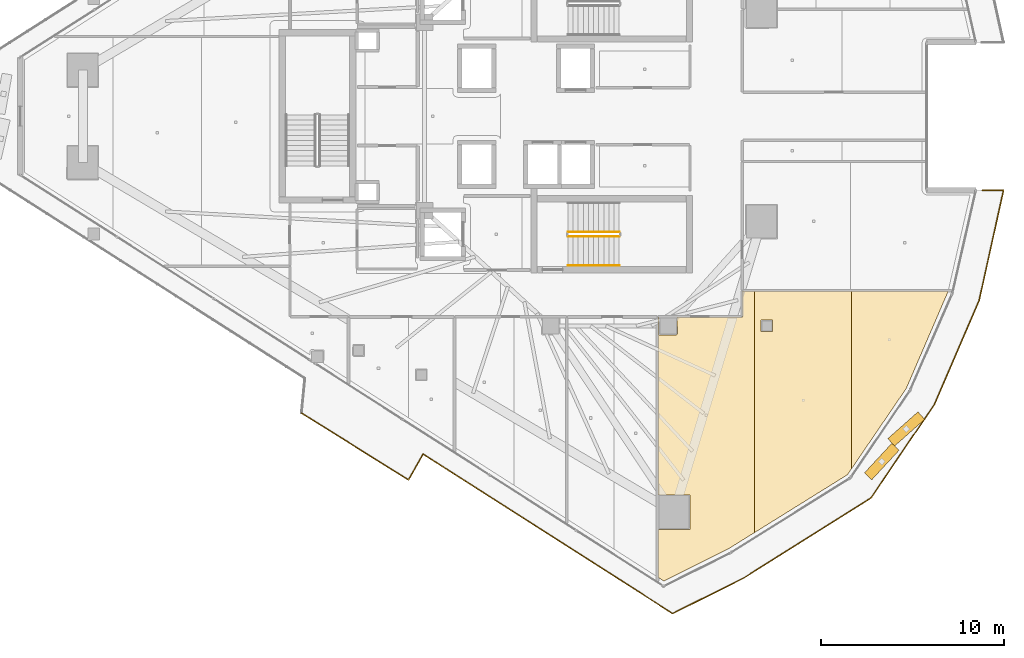
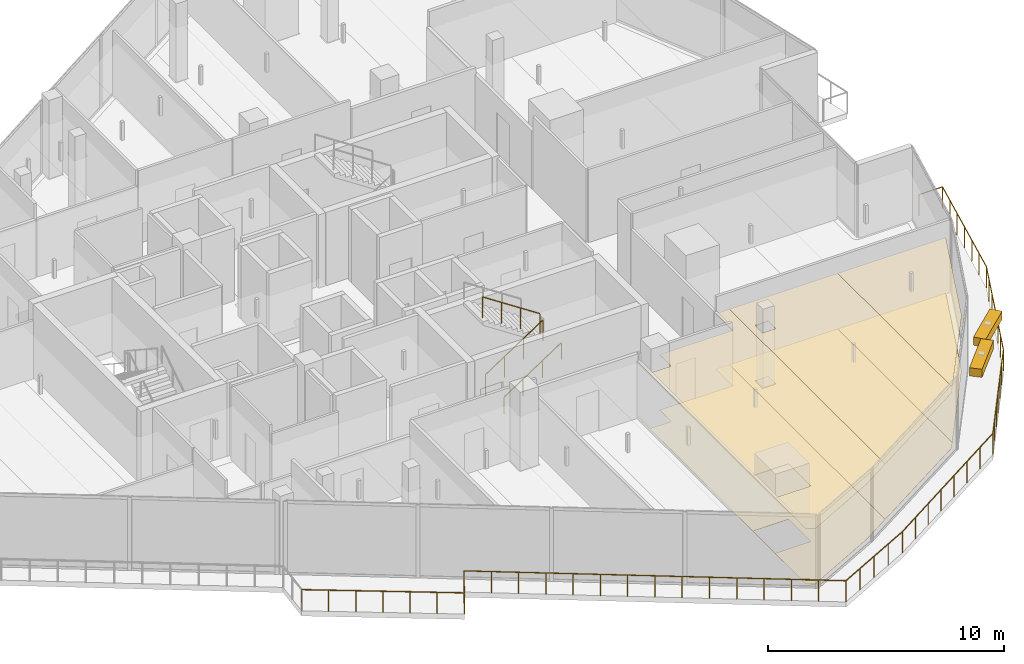
# One storey, part 34 of 36: 6 coverings, 4 railings, 2 shading devices.
"""IFC4 building model written with IfcOpenShell, lengths in metres."""

from ifc_helpers import new_model, si_unit, direction, frame, origin, origin_2d, place, context, subcontext, project, spatial, polyline, rectangle, circle, outline, extrude, material, layer, layer_set, type_object, element, save


model = new_model("IFC4")

# Units and contexts
model_context = context("Model", 3, precision=1e-05, world=origin(), true_north=direction((0.0, 1.0)))
body_context = subcontext(model_context, "Body", "Model", "MODEL_VIEW")
ifc_project = project(units=[si_unit("LENGTHUNIT", "METRE"), si_unit("AREAUNIT", "SQUARE_METRE"), si_unit("VOLUMEUNIT", "CUBIC_METRE"), si_unit("PLANEANGLEUNIT", "RADIAN"), si_unit("MASSUNIT", "GRAM", prefix="KILO")], contexts=[model_context])

# Site, building, storey
site_placement = place(None, origin())
site = spatial("IfcSite", under=ifc_project, at=site_placement, CompositionType="ELEMENT")
building_placement = place(site_placement, origin())
building = spatial("IfcBuilding", under=site, at=building_placement, Name="Qorvath Tower", CompositionType="ELEMENT")
storey_placement = place(building_placement, frame((0.0, 0.0, 241.5)))
storey = spatial("IfcBuildingStorey", under=building, at=storey_placement, Name="L56", CompositionType="ELEMENT", Elevation=241.5)

# Coverings
ifc_material_1 = material(Name="Acoustic mineral fibre ceiling tile", Category="gypsum")
ifc_layer_1 = layer(ifc_material_1, 0.030029296875)
ifc_layer_set_1 = layer_set([ifc_layer_1], Name="COV-CEIL")
covering_type_1 = type_object("IfcCoveringType", Name="COV-CEIL", PredefinedType="CEILING", material=ifc_layer_set_1)
covering_1_placement = place(storey_placement, frame((0.0, 0.0, 2.85009765625)))
element("IfcCovering", 1, at=covering_1_placement, inside=storey, type_object=covering_type_1, Name="L56 Suspended Acoustic Ceiling 027", PredefinedType="CEILING", context=body_context, shape_type="SweptSolid", body=[
    extrude(outline(polyline([(-17.42333984375, -25.39111328125), (-13.89453125, -23.626708984375), (-12.466552734375, -22.738037109375), (-12.466552734375, -9.53515625), (-13.136962890625, -9.534912109375), (-13.138427734375, -10.96142578125), (-16.705322265625, -10.962890625), (-16.68994140625, -11.89990234375), (-16.75, -11.9599609375), (-17.6923828125, -11.9423828125), (-17.694580078125, -10.962890625), (-17.75732421875, -10.962890625), (-17.75732421875, -25.177490234375), (-17.42333984375, -25.39111328125)]), holes=[polyline([(-17.739013671875, -22.569580078125), (-17.739013671875, -20.6845703125), (-16.00439453125, -20.6845703125), (-16.00439453125, -22.569580078125), (-17.739013671875, -22.569580078125)])]), origin(), (0.0, 0.0, 1.0), 0.030029296875),
])
covering_2_placement = place(storey_placement, frame((0.0, 0.0, 2.85009765625)))
element("IfcCovering", 2, at=covering_2_placement, inside=storey, type_object=covering_type_1, Name="L56 Suspended Acoustic Ceiling 028", PredefinedType="CEILING", context=body_context, shape_type="SweptSolid", body=[
    extrude(outline(polyline([(-12.466552734375, -9.53515625), (-12.466552734375, -22.738037109375), (-7.396240234375, -19.58251953125), (-7.176025390625, -19.259033203125), (-7.176025390625, -9.537353515625), (-12.466552734375, -9.53515625)]), holes=[polyline([(-12.117431640625, -11.767333984375), (-12.117431640625, -11.132568359375), (-11.482666015625, -11.132568359375), (-11.482666015625, -11.767333984375), (-12.117431640625, -11.767333984375)])]), origin(), (0.0, 0.0, 1.0), 0.030029296875),
])
covering_3_placement = place(storey_placement, frame((0.0, 0.0, 2.85009765625)))
element("IfcCovering", 3, at=covering_3_placement, inside=storey, type_object=covering_type_1, Name="L56 Suspended Acoustic Ceiling 029", PredefinedType="CEILING", context=body_context, shape_type="SweptSolid", body=[
    extrude(outline(polyline([(-7.176025390625, -9.537353515625), (-7.176025390625, -19.259033203125), (-4.1806640625, -14.862548828125), (-1.88525390625, -9.53955078125), (-7.176025390625, -9.537353515625)])), origin(), (0.0, 0.0, 1.0), 0.030029296875),
])
ifc_material_2 = material(Name="Low-VOC modular carpet tile", Category="textile")
ifc_layer_2 = layer(ifc_material_2, 0.014892578125)
ifc_layer_set_2 = layer_set([ifc_layer_2], Name="COV-FLOOR-CPT")
covering_type_2 = type_object("IfcCoveringType", Name="COV-FLOOR-CPT", PredefinedType="FLOORING", material=ifc_layer_set_2)
covering_4_placement = place(storey_placement, origin())
element("IfcCovering", 4, at=covering_4_placement, inside=storey, type_object=covering_type_2, Name="L56 Floor Finish 027", PredefinedType="FLOORING", context=body_context, shape_type="SweptSolid", body=[
    extrude(outline(polyline([(-17.42333984375, -25.39111328125), (-13.89453125, -23.626708984375), (-12.466552734375, -22.738037109375), (-12.466552734375, -9.53515625), (-13.136962890625, -9.534912109375), (-13.138427734375, -10.96142578125), (-16.705322265625, -10.962890625), (-16.68994140625, -11.89990234375), (-16.75, -11.9599609375), (-17.6923828125, -11.9423828125), (-17.694580078125, -10.962890625), (-17.75732421875, -10.962890625), (-17.75732421875, -25.177490234375), (-17.42333984375, -25.39111328125)]), holes=[polyline([(-17.739013671875, -22.569580078125), (-17.739013671875, -20.6845703125), (-16.00439453125, -20.6845703125), (-16.00439453125, -22.569580078125), (-17.739013671875, -22.569580078125)])]), origin(), (0.0, 0.0, 1.0), 0.014892578125),
])
covering_5_placement = place(storey_placement, origin())
element("IfcCovering", 5, at=covering_5_placement, inside=storey, type_object=covering_type_2, Name="L56 Floor Finish 028", PredefinedType="FLOORING", context=body_context, shape_type="SweptSolid", body=[
    extrude(outline(polyline([(-12.466552734375, -9.53515625), (-12.466552734375, -22.738037109375), (-7.396240234375, -19.58251953125), (-7.176025390625, -19.259033203125), (-7.176025390625, -9.537353515625), (-12.466552734375, -9.53515625)]), holes=[polyline([(-12.117431640625, -11.767333984375), (-12.117431640625, -11.132568359375), (-11.482666015625, -11.132568359375), (-11.482666015625, -11.767333984375), (-12.117431640625, -11.767333984375)])]), origin(), (0.0, 0.0, 1.0), 0.014892578125),
])
covering_6_placement = place(storey_placement, origin())
element("IfcCovering", 6, at=covering_6_placement, inside=storey, type_object=covering_type_2, Name="L56 Floor Finish 029", PredefinedType="FLOORING", context=body_context, shape_type="SweptSolid", body=[
    extrude(outline(polyline([(-7.176025390625, -9.537353515625), (-7.176025390625, -19.259033203125), (-4.1806640625, -14.862548828125), (-1.88525390625, -9.53955078125), (-7.176025390625, -9.537353515625)])), origin(), (0.0, 0.0, 1.0), 0.014892578125),
])

# Railings
ifc_material_3 = material(Name="Laminated safety glass and stainless steel AISI 316", Category="steel")
railing_type_1 = type_object("IfcRailingType", Name="RL-EXT-GRD", PredefinedType="GUARDRAIL", material=ifc_material_3)
railing_1_placement = place(storey_placement, frame((-0.02734375, -4.03369140625, 0.0)))
element("IfcRailing", 7, at=railing_1_placement, inside=storey, type_object=railing_type_1, Name="Loggia Perimeter Guardrail L56-1.2", PredefinedType="GUARDRAIL", context=body_context, shape_type="SweptSolid", body=[
    extrude(circle(Radius=0.02392578125, at=origin_2d()), frame((0.0, 0.0, 1.09619140625), z_axis=(1.0, 0.0, 0.0), x_axis=(0.0, 1.0, 0.0)), (0.0, 0.0, 1.0), 1.158935546875),
    extrude(circle(Radius=0.02392578125, at=origin_2d()), frame((1.158935546875, 0.0, 1.09619140625), z_axis=(-0.216072491468, -0.9763773238, 0.0), x_axis=(0.9763773238, -0.216072491468, 0.0)), (0.0, 0.0, 1.0), 6.17724609375),
    extrude(circle(Radius=0.02392578125, at=origin_2d()), frame((-0.17578125, -6.03125, 1.09619140625), z_axis=(-0.395483357671, -0.91847314267, 0.0), x_axis=(0.91847314267, -0.395483357671, 0.0)), (0.0, 0.0, 1.0), 6.177001953125),
    extrude(circle(Radius=0.02392578125, at=origin_2d()), frame((-2.61865234375, -11.70458984375, 1.09619140625), z_axis=(-0.560832414772, -0.827929346346, 0.0), x_axis=(0.827929346346, -0.560832414772, 0.0)), (0.0, 0.0, 1.0), 6.17724609375),
    extrude(circle(Radius=0.02392578125, at=origin_2d()), frame((-6.0830078125, -16.81884765625, 1.09619140625), z_axis=(-0.846493807587, -0.532398566599, 0.0), x_axis=(0.532398566599, -0.846493807587, 0.0)), (0.0, 0.0, 1.0), 8.21435546875),
    extrude(circle(Radius=0.02392578125, at=origin_2d()), frame((-13.036376953125, -21.192138671875, 1.09619140625), z_axis=(-0.894427191, -0.4472135955, 0.0), x_axis=(0.4472135955, -0.894427191, 0.0)), (0.0, 0.0, 1.0), 4.3388671875),
    extrude(circle(Radius=0.02392578125, at=origin_2d()), frame((-16.917236328125, -23.132568359375, 1.09619140625), z_axis=(-0.842603073778, 0.53853510569, 0.0), x_axis=(-0.53853510569, -0.842603073778, 0.0)), (0.0, 0.0, 1.0), 16.18115234375),
    extrude(circle(Radius=0.02392578125, at=origin_2d()), frame((-30.551513671875, -14.41845703125, 1.09619140625), z_axis=(-0.494714100962, -0.869055785499, 0.0), x_axis=(0.869055785499, -0.494714100962, 0.0)), (0.0, 0.0, 1.0), 1.62451171875),
    extrude(circle(Radius=0.02392578125, at=origin_2d()), frame((-31.355224609375, -15.830322265625, 1.09619140625), z_axis=(-0.848042108762, 0.529928845946, 0.0), x_axis=(-0.529928845946, -0.848042108762, 0.0)), (0.0, 0.0, 1.0), 6.887939453125),
    extrude(circle(Radius=0.02099609375, at=origin_2d()), origin(), (0.0, 0.0, 1.0), 1.072021484375),
    extrude(circle(Radius=0.02099609375, at=origin_2d()), frame((1.158935546875, 0.0, 0.0)), (0.0, 0.0, 1.0), 1.072021484375),
    extrude(circle(Radius=0.02099609375, at=origin_2d()), frame((0.9365234375, -1.005126953125, 0.0)), (0.0, 0.0, 1.0), 1.072021484375),
    extrude(circle(Radius=0.02099609375, at=origin_2d()), frame((0.714111328125, -2.010498046875, 0.0)), (0.0, 0.0, 1.0), 1.072021484375),
    extrude(circle(Radius=0.02099609375, at=origin_2d()), frame((0.49169921875, -3.015625, 0.0)), (0.0, 0.0, 1.0), 1.072021484375),
    extrude(circle(Radius=0.02099609375, at=origin_2d()), frame((0.26904296875, -4.020751953125, 0.0)), (0.0, 0.0, 1.0), 1.072021484375),
    extrude(circle(Radius=0.02099609375, at=origin_2d()), frame((0.046630859375, -5.026123046875, 0.0)), (0.0, 0.0, 1.0), 1.072021484375),
    extrude(circle(Radius=0.02099609375, at=origin_2d()), frame((-0.17578125, -6.03125, 0.0)), (0.0, 0.0, 1.0), 1.072021484375),
    extrude(circle(Radius=0.02099609375, at=origin_2d()), frame((-0.5830078125, -6.976806640625, 0.0)), (0.0, 0.0, 1.0), 1.072021484375),
    extrude(circle(Radius=0.02099609375, at=origin_2d()), frame((-0.989990234375, -7.92236328125, 0.0)), (0.0, 0.0, 1.0), 1.072021484375),
    extrude(circle(Radius=0.02099609375, at=origin_2d()), frame((-1.397216796875, -8.867919921875, 0.0)), (0.0, 0.0, 1.0), 1.072021484375),
    extrude(circle(Radius=0.02099609375, at=origin_2d()), frame((-1.804443359375, -9.8134765625, 0.0)), (0.0, 0.0, 1.0), 1.072021484375),
    extrude(circle(Radius=0.02099609375, at=origin_2d()), frame((-2.21142578125, -10.759033203125, 0.0)), (0.0, 0.0, 1.0), 1.072021484375),
    extrude(circle(Radius=0.02099609375, at=origin_2d()), frame((-2.61865234375, -11.70458984375, 0.0)), (0.0, 0.0, 1.0), 1.072021484375),
    extrude(circle(Radius=0.02099609375, at=origin_2d()), frame((-3.196044921875, -12.556884765625, 0.0)), (0.0, 0.0, 1.0), 1.072021484375),
    extrude(circle(Radius=0.02099609375, at=origin_2d()), frame((-3.7734375, -13.409423828125, 0.0)), (0.0, 0.0, 1.0), 1.072021484375),
    extrude(circle(Radius=0.02099609375, at=origin_2d()), frame((-4.350830078125, -14.26171875, 0.0)), (0.0, 0.0, 1.0), 1.072021484375),
    extrude(circle(Radius=0.02099609375, at=origin_2d()), frame((-4.92822265625, -15.114013671875, 0.0)), (0.0, 0.0, 1.0), 1.072021484375),
    extrude(circle(Radius=0.02099609375, at=origin_2d()), frame((-5.505615234375, -15.966552734375, 0.0)), (0.0, 0.0, 1.0), 1.072021484375),
    extrude(circle(Radius=0.02099609375, at=origin_2d()), frame((-6.0830078125, -16.81884765625, 0.0)), (0.0, 0.0, 1.0), 1.072021484375),
    extrude(circle(Radius=0.02099609375, at=origin_2d()), frame((-7.076416015625, -17.443603515625, 0.0)), (0.0, 0.0, 1.0), 1.072021484375),
    extrude(circle(Radius=0.02099609375, at=origin_2d()), frame((-8.069580078125, -18.068359375, 0.0)), (0.0, 0.0, 1.0), 1.072021484375),
    extrude(circle(Radius=0.02099609375, at=origin_2d()), frame((-9.06298828125, -18.693115234375, 0.0)), (0.0, 0.0, 1.0), 1.072021484375),
    extrude(circle(Radius=0.02099609375, at=origin_2d()), frame((-10.056396484375, -19.31787109375, 0.0)), (0.0, 0.0, 1.0), 1.072021484375),
    extrude(circle(Radius=0.02099609375, at=origin_2d()), frame((-11.0498046875, -19.942626953125, 0.0)), (0.0, 0.0, 1.0), 1.072021484375),
    extrude(circle(Radius=0.02099609375, at=origin_2d()), frame((-12.04296875, -20.5673828125, 0.0)), (0.0, 0.0, 1.0), 1.072021484375),
    extrude(circle(Radius=0.02099609375, at=origin_2d()), frame((-13.036376953125, -21.192138671875, 0.0)), (0.0, 0.0, 1.0), 1.072021484375),
    extrude(circle(Radius=0.02099609375, at=origin_2d()), frame((-14.006591796875, -21.67724609375, 0.0)), (0.0, 0.0, 1.0), 1.072021484375),
    extrude(circle(Radius=0.02099609375, at=origin_2d()), frame((-14.976806640625, -22.162353515625, 0.0)), (0.0, 0.0, 1.0), 1.072021484375),
    extrude(circle(Radius=0.02099609375, at=origin_2d()), frame((-15.947021484375, -22.6474609375, 0.0)), (0.0, 0.0, 1.0), 1.072021484375),
    extrude(circle(Radius=0.02099609375, at=origin_2d()), frame((-16.917236328125, -23.132568359375, 0.0)), (0.0, 0.0, 1.0), 1.072021484375),
    extrude(circle(Radius=0.02099609375, at=origin_2d()), frame((-17.89111328125, -22.51025390625, 0.0)), (0.0, 0.0, 1.0), 1.072021484375),
    extrude(circle(Radius=0.02099609375, at=origin_2d()), frame((-18.864990234375, -21.8876953125, 0.0)), (0.0, 0.0, 1.0), 1.072021484375),
    extrude(circle(Radius=0.02099609375, at=origin_2d()), frame((-19.8388671875, -21.26513671875, 0.0)), (0.0, 0.0, 1.0), 1.072021484375),
    extrude(circle(Radius=0.02099609375, at=origin_2d()), frame((-20.812744140625, -20.642822265625, 0.0)), (0.0, 0.0, 1.0), 1.072021484375),
    extrude(circle(Radius=0.02099609375, at=origin_2d()), frame((-21.78662109375, -20.0205078125, 0.0)), (0.0, 0.0, 1.0), 1.072021484375),
    extrude(circle(Radius=0.02099609375, at=origin_2d()), frame((-22.760498046875, -19.39794921875, 0.0)), (0.0, 0.0, 1.0), 1.072021484375),
    extrude(circle(Radius=0.02099609375, at=origin_2d()), frame((-23.734375, -18.775390625, 0.0)), (0.0, 0.0, 1.0), 1.072021484375),
    extrude(circle(Radius=0.02099609375, at=origin_2d()), frame((-24.708251953125, -18.153076171875, 0.0)), (0.0, 0.0, 1.0), 1.072021484375),
    extrude(circle(Radius=0.02099609375, at=origin_2d()), frame((-25.68212890625, -17.53076171875, 0.0)), (0.0, 0.0, 1.0), 1.072021484375),
    extrude(circle(Radius=0.02099609375, at=origin_2d()), frame((-26.656005859375, -16.908203125, 0.0)), (0.0, 0.0, 1.0), 1.072021484375),
    extrude(circle(Radius=0.02099609375, at=origin_2d()), frame((-27.6298828125, -16.28564453125, 0.0)), (0.0, 0.0, 1.0), 1.072021484375),
    extrude(circle(Radius=0.02099609375, at=origin_2d()), frame((-28.603759765625, -15.663330078125, 0.0)), (0.0, 0.0, 1.0), 1.072021484375),
    extrude(circle(Radius=0.02099609375, at=origin_2d()), frame((-29.57763671875, -15.041015625, 0.0)), (0.0, 0.0, 1.0), 1.072021484375),
    extrude(circle(Radius=0.02099609375, at=origin_2d()), frame((-30.551513671875, -14.41845703125, 0.0)), (0.0, 0.0, 1.0), 1.072021484375),
    extrude(circle(Radius=0.02099609375, at=origin_2d()), frame((-30.953369140625, -15.12451171875, 0.0)), (0.0, 0.0, 1.0), 1.072021484375),
    extrude(circle(Radius=0.02099609375, at=origin_2d()), frame((-31.355224609375, -15.830322265625, 0.0)), (0.0, 0.0, 1.0), 1.072021484375),
    extrude(circle(Radius=0.02099609375, at=origin_2d()), frame((-32.328857421875, -15.221923828125, 0.0)), (0.0, 0.0, 1.0), 1.072021484375),
    extrude(circle(Radius=0.02099609375, at=origin_2d()), frame((-33.30224609375, -14.613525390625, 0.0)), (0.0, 0.0, 1.0), 1.072021484375),
    extrude(circle(Radius=0.02099609375, at=origin_2d()), frame((-34.27587890625, -14.00537109375, 0.0)), (0.0, 0.0, 1.0), 1.072021484375),
    extrude(circle(Radius=0.02099609375, at=origin_2d()), frame((-35.24951171875, -13.39697265625, 0.0)), (0.0, 0.0, 1.0), 1.072021484375),
    extrude(circle(Radius=0.02099609375, at=origin_2d()), frame((-36.222900390625, -12.78857421875, 0.0)), (0.0, 0.0, 1.0), 1.072021484375),
    extrude(circle(Radius=0.02099609375, at=origin_2d()), frame((-37.196533203125, -12.18017578125, 0.0)), (0.0, 0.0, 1.0), 1.072021484375),
])
ifc_material_4 = material(Name="Painted galvanised steel", Category="steel")
railing_type_2 = type_object("IfcRailingType", Name="RL-STR-GRD", PredefinedType="GUARDRAIL", material=ifc_material_4)
railing_2_placement = place(storey_placement, frame((-22.669921875, -6.570068359375, 0.18408203125)))
element("IfcRailing", 8, at=railing_2_placement, inside=storey, type_object=railing_type_2, Name="L56 TS2 stair guard 1", PredefinedType="GUARDRAIL", context=body_context, shape_type="SweptSolid", body=[
    extrude(circle(Radius=0.02392578125, at=origin_2d()), frame((0.0, 0.0, 1.076171875), z_axis=(0.835575518608, 0.0, 0.549375602573), x_axis=(0.0, 1.0, 0.0)), (0.0, 0.0, 1.0), 3.350830078125),
    extrude(circle(Radius=0.02099609375, at=origin_2d()), origin(), (0.0, 0.0, 1.0), 1.052001953125),
    extrude(circle(Radius=0.02099609375, at=origin_2d()), frame((0.933349609375, 0.0, 0.613525390625)), (0.0, 0.0, 1.0), 1.052001953125),
    extrude(circle(Radius=0.02099609375, at=origin_2d()), frame((1.866455078125, 0.0, 1.227294921875)), (0.0, 0.0, 1.0), 1.052001953125),
    extrude(circle(Radius=0.02099609375, at=origin_2d()), frame((2.7998046875, 0.0, 1.8408203125)), (0.0, 0.0, 1.0), 1.052001953125),
])
railing_3_placement = place(storey_placement, frame((-19.8701171875, -6.320068359375, 2.208984375)))
element("IfcRailing", 9, at=railing_3_placement, inside=storey, type_object=railing_type_2, Name="L56 TS2 stair guard 3", PredefinedType="GUARDRAIL", context=body_context, shape_type="SweptSolid", body=[
    extrude(circle(Radius=0.02392578125, at=origin_2d()), frame((0.0, 0.0, 1.076171875), z_axis=(-0.835542071712, 0.0, 0.549426470421), x_axis=(0.0, -1.0, 0.0)), (0.0, 0.0, 1.0), 3.350830078125),
    extrude(circle(Radius=0.02099609375, at=origin_2d()), origin(), (0.0, 0.0, 1.0), 1.052001953125),
    extrude(circle(Radius=0.02099609375, at=origin_2d()), frame((-0.933349609375, 0.0, 0.61376953125)), (0.0, 0.0, 1.0), 1.052001953125),
    extrude(circle(Radius=0.02099609375, at=origin_2d()), frame((-1.866455078125, 0.0, 1.227294921875)), (0.0, 0.0, 1.0), 1.052001953125),
    extrude(circle(Radius=0.02099609375, at=origin_2d()), frame((-2.7998046875, 0.0, 1.841064453125)), (0.0, 0.0, 1.0), 1.052001953125),
])
ifc_material_5 = material(Name="Brushed stainless steel AISI 304", Category="steel")
railing_type_3 = type_object("IfcRailingType", Name="RL-STR-HND", PredefinedType="HANDRAIL", material=ifc_material_5)
railing_4_placement = place(storey_placement, frame((-22.669921875, -8.14990234375, 0.18408203125)))
element("IfcRailing", 10, at=railing_4_placement, inside=storey, type_object=railing_type_3, Name="L56 TS2 stair handrail 1", PredefinedType="HANDRAIL", context=body_context, shape_type="SweptSolid", body=[
    extrude(circle(Radius=0.02392578125, at=origin_2d()), frame((0.0, 0.0, 0.8759765625), z_axis=(0.835575518608, 0.0, 0.549375602573), x_axis=(0.0, 1.0, 0.0)), (0.0, 0.0, 1.0), 3.350830078125),
    extrude(circle(Radius=0.02099609375, at=origin_2d()), origin(), (0.0, 0.0, 1.0), 0.851806640625),
    extrude(circle(Radius=0.02099609375, at=origin_2d()), frame((0.933349609375, 0.0, 0.613525390625)), (0.0, 0.0, 1.0), 0.851806640625),
    extrude(circle(Radius=0.02099609375, at=origin_2d()), frame((1.866455078125, 0.0, 1.227294921875)), (0.0, 0.0, 1.0), 0.851806640625),
    extrude(circle(Radius=0.02099609375, at=origin_2d()), frame((2.7998046875, 0.0, 1.8408203125)), (0.0, 0.0, 1.0), 0.851806640625),
])

# Shading devices
ifc_material_6 = material(Name="Anodised bronze-champagne aluminium", Category="aluminium")
shading_device_type = type_object("IfcShadingDeviceType", Name="SD-LOUVRE", PredefinedType="JALOUSIE", material=ifc_material_6)
for number, where, z_axis, x_axis, name in (
    (11, (-5.5224609375, -18.86328125, 3.360107421875), (0.0, 0.0, 1.0), (0.679848430455, 0.7333526516, 0.0), "Sinusoidal Wave Louvre Blade L56-03"),
    (12, (-4.185302734375, -17.083251953125, 3.360107421875), (0.0, 0.0, 1.0), (0.748464006476, 0.663175414962, 0.0), "Sinusoidal Wave Louvre Blade L56-04"),
):
    element("IfcShadingDevice", number, at=place(storey_placement, frame(where, z_axis=z_axis, x_axis=x_axis)), inside=storey, type_object=shading_device_type, Name=name, PredefinedType="NOTDEFINED", context=body_context, shape_type="SweptSolid", body=[
        extrude(rectangle(XDim=2.199951171875, YDim=0.550048828125, at=origin_2d()), origin(), (0.0, 0.0, 1.0), 0.419921875),
    ])

save(model, "model.ifc")
